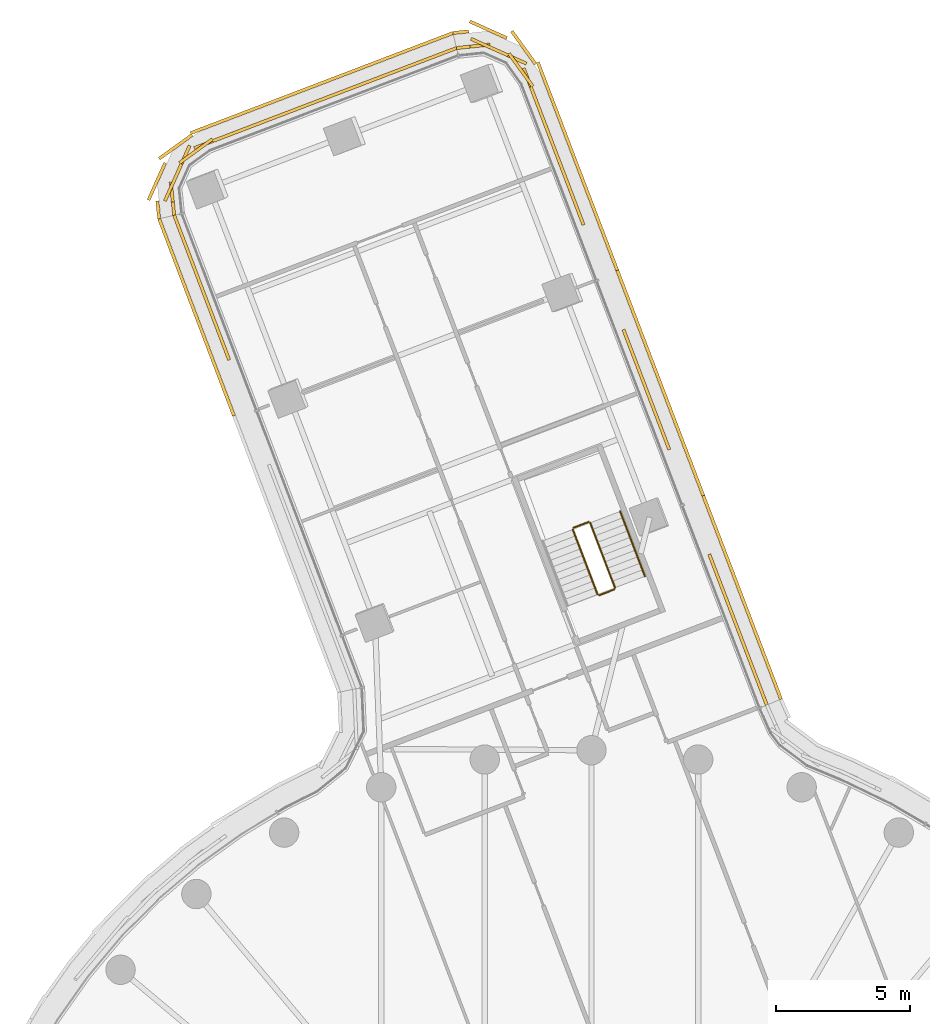
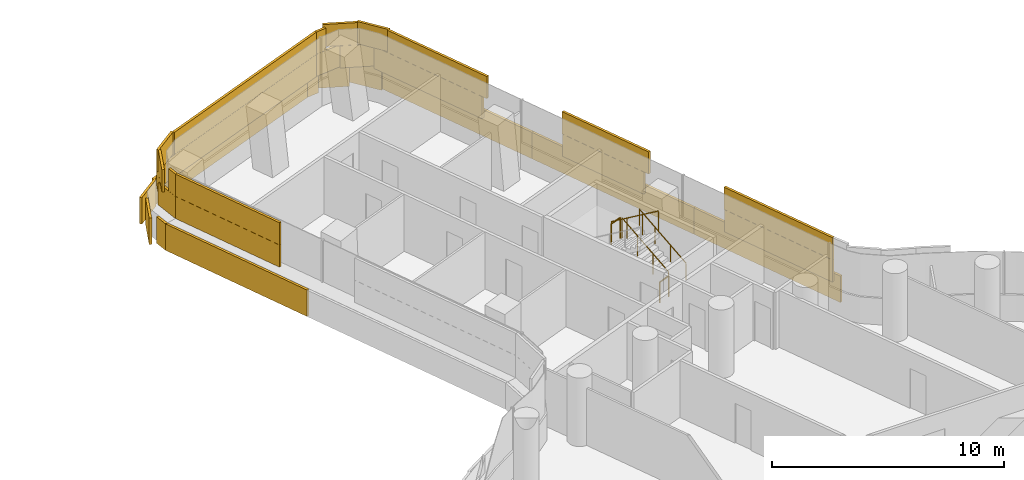
# One storey, part 32 of 32: 5 coverings, 5 railings.
"""IFC4 building model written with IfcOpenShell, lengths in metres."""

from ifc_helpers import new_model, si_unit, direction, frame, origin, origin_2d, place, context, subcontext, project, spatial, rectangle, circle, extrude, material, layer, layer_set, type_object, element, save


model = new_model("IFC4")

# Units and contexts
model_context = context("Model", 3, precision=1e-05, world=origin(), true_north=direction((0.0, 1.0)))
body_context = subcontext(model_context, "Body", "Model", "MODEL_VIEW")
ifc_project = project(units=[si_unit("LENGTHUNIT", "METRE"), si_unit("AREAUNIT", "SQUARE_METRE"), si_unit("VOLUMEUNIT", "CUBIC_METRE"), si_unit("PLANEANGLEUNIT", "RADIAN"), si_unit("MASSUNIT", "GRAM", prefix="KILO")], contexts=[model_context])

# Site, building, storey
site_placement = place(None, origin())
site = spatial("IfcSite", under=ifc_project, at=site_placement, CompositionType="ELEMENT")
building_placement = place(site_placement, origin())
building = spatial("IfcBuilding", under=site, at=building_placement, Name="Tamarind Cross Interchange Tower", CompositionType="ELEMENT")
storey_placement = place(building_placement, frame((0.0, 0.0, 109.75)))
storey = spatial("IfcBuildingStorey", under=building, at=storey_placement, Name="L26", CompositionType="ELEMENT", Elevation=109.75)

# Railings
ifc_material_1 = material(Name="Stair guard")
railing_type_1 = type_object("IfcRailingType", Name="Stair guard", PredefinedType="GUARDRAIL", material=ifc_material_1)
railing_1_placement = place(storey_placement, frame((0.882568359375, 29.08056640625, 0.17041015625)))
element("IfcRailing", 1, at=railing_1_placement, inside=storey, type_object=railing_type_1, Name="L26 ST4 stair guard 1", PredefinedType="GUARDRAIL", context=body_context, shape_type="SweptSolid", body=[
    extrude(circle(Radius=0.02392578125, at=origin_2d()), frame((0.0, 0.0, 1.076171875), z_axis=(-0.298255740947, 0.781291829036, 0.548294255737), x_axis=(-0.934240573214, -0.356643451308, 0.0)), (0.0, 0.0, 1.0), 3.10888671875),
    extrude(circle(Radius=0.02099609375, at=origin_2d()), origin(), (0.0, 0.0, 1.0), 1.052001953125),
    extrude(circle(Radius=0.02099609375, at=origin_2d()), frame((-0.30908203125, 0.8095703125, 0.568115234375)), (0.0, 0.0, 1.0), 1.052001953125),
    extrude(circle(Radius=0.02099609375, at=origin_2d()), frame((-0.6181640625, 1.619384765625, 1.136474609375)), (0.0, 0.0, 1.0), 1.052001953125),
    extrude(circle(Radius=0.02099609375, at=origin_2d()), frame((-0.92724609375, 2.428955078125, 1.70458984375)), (0.0, 0.0, 1.0), 1.052001953125),
])
railing_2_placement = place(storey_placement, frame((-0.109375, 31.538330078125, 1.875)))
element("IfcRailing", 2, at=railing_2_placement, inside=storey, type_object=railing_type_1, Name="L26 ST4 stair guard 2", PredefinedType="GUARDRAIL", context=body_context, shape_type="SweptSolid", body=[
    extrude(circle(Radius=0.02392578125, at=origin_2d()), frame((0.0, 0.0, 1.076171875), z_axis=(-0.934307115973, -0.356469091286, 0.0), x_axis=(0.356469091286, -0.934307115973, 0.0)), (0.0, 0.0, 1.0), 0.599853515625),
    extrude(circle(Radius=0.02099609375, at=origin_2d()), origin(), (0.0, 0.0, 1.0), 1.052001953125),
    extrude(circle(Radius=0.02099609375, at=origin_2d()), frame((-0.560546875, -0.2138671875, 0.0)), (0.0, 0.0, 1.0), 1.052001953125),
])
railing_3_placement = place(storey_placement, frame((-0.69873046875, 31.259765625, 2.04541015625)))
element("IfcRailing", 3, at=railing_3_placement, inside=storey, type_object=railing_type_1, Name="L26 ST4 stair guard 3", PredefinedType="GUARDRAIL", context=body_context, shape_type="SweptSolid", body=[
    extrude(circle(Radius=0.02392578125, at=origin_2d()), frame((0.0, 0.0, 1.076171875), z_axis=(0.298327282392, -0.781273527908, 0.548281412388), x_axis=(0.934209283065, 0.356725406208, 0.0)), (0.0, 0.0, 1.0), 3.10888671875),
    extrude(circle(Radius=0.02099609375, at=origin_2d()), origin(), (0.0, 0.0, 1.0), 1.052001953125),
    extrude(circle(Radius=0.02099609375, at=origin_2d()), frame((0.30908203125, -0.8095703125, 0.568115234375)), (0.0, 0.0, 1.0), 1.052001953125),
    extrude(circle(Radius=0.02099609375, at=origin_2d()), frame((0.618408203125, -1.619384765625, 1.136474609375)), (0.0, 0.0, 1.0), 1.052001953125),
    extrude(circle(Radius=0.02099609375, at=origin_2d()), frame((0.927490234375, -2.428955078125, 1.70458984375)), (0.0, 0.0, 1.0), 1.052001953125),
])
railing_4_placement = place(storey_placement, frame((0.853759765625, 29.015869140625, 0.0)))
element("IfcRailing", 4, at=railing_4_placement, inside=storey, type_object=railing_type_1, Name="L26 ST4 stair guard 4", PredefinedType="GUARDRAIL", context=body_context, shape_type="SweptSolid", body=[
    extrude(circle(Radius=0.02392578125, at=origin_2d()), frame((0.0, 0.0, 1.076171875), z_axis=(-0.934307115973, -0.356469091286, 0.0), x_axis=(0.356469091286, -0.934307115973, 0.0)), (0.0, 0.0, 1.0), 0.599853515625),
    extrude(circle(Radius=0.02099609375, at=origin_2d()), origin(), (0.0, 0.0, 1.0), 1.052001953125),
    extrude(circle(Radius=0.02099609375, at=origin_2d()), frame((-0.560546875, -0.2138671875, 0.0)), (0.0, 0.0, 1.0), 1.052001953125),
])
ifc_material_2 = material(Name="Stair handrail")
railing_type_2 = type_object("IfcRailingType", Name="Stair handrail", PredefinedType="HANDRAIL", material=ifc_material_2)
railing_5_placement = place(storey_placement, frame((2.003662109375, 29.508544921875, 0.17041015625)))
element("IfcRailing", 5, at=railing_5_placement, inside=storey, type_object=railing_type_2, Name="L26 ST4 stair handrail 1", PredefinedType="HANDRAIL", context=body_context, shape_type="SweptSolid", body=[
    extrude(circle(Radius=0.02392578125, at=origin_2d()), frame((0.0, 0.0, 0.8759765625), z_axis=(-0.298255740947, 0.781291829036, 0.548294255737), x_axis=(-0.934240573214, -0.356643451308, 0.0)), (0.0, 0.0, 1.0), 3.10888671875),
    extrude(circle(Radius=0.02099609375, at=origin_2d()), origin(), (0.0, 0.0, 1.0), 0.851806640625),
    extrude(circle(Radius=0.02099609375, at=origin_2d()), frame((-0.30908203125, 0.8095703125, 0.568115234375)), (0.0, 0.0, 1.0), 0.851806640625),
    extrude(circle(Radius=0.02099609375, at=origin_2d()), frame((-0.6181640625, 1.619384765625, 1.136474609375)), (0.0, 0.0, 1.0), 0.851806640625),
    extrude(circle(Radius=0.02099609375, at=origin_2d()), frame((-0.92724609375, 2.428955078125, 1.70458984375)), (0.0, 0.0, 1.0), 0.851806640625),
])

# Coverings
ifc_material_3 = material(Name="Terracotta", Category="masonry")
ifc_layer = layer(ifc_material_3, 0.1201171875)
ifc_layer_set = layer_set([ifc_layer], Name="Terracotta")
covering_type = type_object("IfcCoveringType", Name="Terracotta baguette screen unit", PredefinedType="MOLDING", material=ifc_layer_set)
covering_1_placement = place(storey_placement, origin())
element("IfcCovering", 6, at=covering_1_placement, inside=storey, type_object=covering_type, Name="SCR-L26-11-00", PredefinedType="MOLDING", context=body_context, shape_type="SweptSolid", body=[
    extrude(rectangle(XDim=1.510009765625, YDim=0.1201171875, at=origin_2d()), frame((6.294189453125, 25.39208984375, 1.404052734375), z_axis=(0.0, 0.0, 1.0), x_axis=(-0.356672778674, 0.934229377055, 0.0)), (0.0, 0.0, 1.0), 1.1669921875),
    extrude(rectangle(XDim=1.52001953125, YDim=0.1201171875, at=origin_2d()), frame((5.759033203125, 26.79345703125, 1.404052734375), z_axis=(0.0, 0.0, 1.0), x_axis=(-0.356672778674, 0.934229377055, 0.0)), (0.0, 0.0, 1.0), 1.1669921875),
    extrude(rectangle(XDim=1.52001953125, YDim=0.1201171875, at=origin_2d()), frame((5.22412109375, 28.19482421875, 1.404052734375), z_axis=(0.0, 0.0, 1.0), x_axis=(-0.356672778674, 0.934229377055, 0.0)), (0.0, 0.0, 1.0), 1.1669921875),
    extrude(rectangle(XDim=1.52001953125, YDim=0.1201171875, at=origin_2d()), frame((4.68896484375, 29.59619140625, 1.404052734375), z_axis=(0.0, 0.0, 1.0), x_axis=(-0.356672778674, 0.934229377055, 0.0)), (0.0, 0.0, 1.0), 1.1669921875),
    extrude(rectangle(XDim=0.760009765625, YDim=0.1201171875, at=origin_2d()), frame((6.427734375, 25.041748046875, 2.5791015625), z_axis=(0.0, 0.0, 1.0), x_axis=(-0.356672778674, 0.934229377055, 0.0)), (0.0, 0.0, 1.0), 1.1669921875),
    extrude(rectangle(XDim=1.52001953125, YDim=0.1201171875, at=origin_2d()), frame((6.026611328125, 26.0927734375, 2.5791015625), z_axis=(0.0, 0.0, 1.0), x_axis=(-0.356672778674, 0.934229377055, 0.0)), (0.0, 0.0, 1.0), 1.1669921875),
    extrude(rectangle(XDim=1.52001953125, YDim=0.1201171875, at=origin_2d()), frame((5.49169921875, 27.494140625, 2.5791015625), z_axis=(0.0, 0.0, 1.0), x_axis=(-0.356672778674, 0.934229377055, 0.0)), (0.0, 0.0, 1.0), 1.1669921875),
    extrude(rectangle(XDim=1.52001953125, YDim=0.1201171875, at=origin_2d()), frame((4.95654296875, 28.8955078125, 2.5791015625), z_axis=(0.0, 0.0, 1.0), x_axis=(-0.356672778674, 0.934229377055, 0.0)), (0.0, 0.0, 1.0), 1.1669921875),
    extrude(rectangle(XDim=0.791259765625, YDim=0.1201171875, at=origin_2d()), frame((4.5498046875, 29.961181640625, 2.5791015625), z_axis=(0.0, 0.0, 1.0), x_axis=(-0.356672778674, 0.934229377055, 0.0)), (0.0, 0.0, 1.0), 1.1669921875),
    extrude(rectangle(XDim=1.510009765625, YDim=0.1201171875, at=origin_2d()), frame((6.823486328125, 25.614990234375, 0.00390625), z_axis=(0.0, 0.0, 1.0), x_axis=(-0.356672778674, 0.934229377055, 0.0)), (0.0, 0.0, 1.0), 1.39208984375),
    extrude(rectangle(XDim=1.52001953125, YDim=0.1201171875, at=origin_2d()), frame((6.2900390625, 27.01171875, 0.00390625), z_axis=(0.0, 0.0, 1.0), x_axis=(-0.356672778674, 0.934229377055, 0.0)), (0.0, 0.0, 1.0), 1.39208984375),
    extrude(rectangle(XDim=1.52001953125, YDim=0.1201171875, at=origin_2d()), frame((5.755126953125, 28.4130859375, 0.00390625), z_axis=(0.0, 0.0, 1.0), x_axis=(-0.356672778674, 0.934229377055, 0.0)), (0.0, 0.0, 1.0), 1.39208984375),
    extrude(rectangle(XDim=1.52001953125, YDim=0.1201171875, at=origin_2d()), frame((5.22021484375, 29.814453125, 0.00390625), z_axis=(0.0, 0.0, 1.0), x_axis=(-0.356672778674, 0.934229377055, 0.0)), (0.0, 0.0, 1.0), 1.39208984375),
    extrude(rectangle(XDim=1.52001953125, YDim=0.1201171875, at=origin_2d()), frame((4.68505859375, 31.2158203125, 0.00390625), z_axis=(0.0, 0.0, 1.0), x_axis=(-0.356672778674, 0.934229377055, 0.0)), (0.0, 0.0, 1.0), 1.39208984375),
    extrude(rectangle(XDim=0.6611328125, YDim=0.1201171875, at=origin_2d()), frame((4.30322265625, 32.2158203125, 0.00390625), z_axis=(0.0, 0.0, 1.0), x_axis=(-0.356672778674, 0.934229377055, 0.0)), (0.0, 0.0, 1.0), 1.39208984375),
])
covering_2_placement = place(storey_placement, origin())
element("IfcCovering", 7, at=covering_2_placement, inside=storey, type_object=covering_type, Name="SCR-L26-11-01", PredefinedType="MOLDING", context=body_context, shape_type="SweptSolid", body=[
    extrude(rectangle(XDim=1.52001953125, YDim=0.1201171875, at=origin_2d()), frame((2.549072265625, 35.201416015625, 1.404052734375), z_axis=(0.0, 0.0, 1.0), x_axis=(-0.356672778674, 0.934229377055, 0.0)), (0.0, 0.0, 1.0), 1.1669921875),
    extrude(rectangle(XDim=1.52001953125, YDim=0.1201171875, at=origin_2d()), frame((2.013916015625, 36.602783203125, 1.404052734375), z_axis=(0.0, 0.0, 1.0), x_axis=(-0.356672778674, 0.934229377055, 0.0)), (0.0, 0.0, 1.0), 1.1669921875),
    extrude(rectangle(XDim=1.52001953125, YDim=0.1201171875, at=origin_2d()), frame((1.47900390625, 38.004150390625, 1.404052734375), z_axis=(0.0, 0.0, 1.0), x_axis=(-0.356672778674, 0.934229377055, 0.0)), (0.0, 0.0, 1.0), 1.1669921875),
    extrude(rectangle(XDim=1.02880859375, YDim=0.1201171875, at=origin_2d()), frame((2.730712890625, 34.7255859375, 2.5791015625), z_axis=(0.0, 0.0, 1.0), x_axis=(-0.356672778674, 0.934229377055, 0.0)), (0.0, 0.0, 1.0), 1.1669921875),
    extrude(rectangle(XDim=1.52001953125, YDim=0.1201171875, at=origin_2d()), frame((2.281494140625, 35.902099609375, 2.5791015625), z_axis=(0.0, 0.0, 1.0), x_axis=(-0.356672778674, 0.934229377055, 0.0)), (0.0, 0.0, 1.0), 1.1669921875),
    extrude(rectangle(XDim=1.52001953125, YDim=0.1201171875, at=origin_2d()), frame((1.74658203125, 37.303466796875, 2.5791015625), z_axis=(0.0, 0.0, 1.0), x_axis=(-0.356672778674, 0.934229377055, 0.0)), (0.0, 0.0, 1.0), 1.1669921875),
    extrude(rectangle(XDim=0.794677734375, YDim=0.1201171875, at=origin_2d()), frame((1.339111328125, 38.370849609375, 2.5791015625), z_axis=(0.0, 0.0, 1.0), x_axis=(-0.356672778674, 0.934229377055, 0.0)), (0.0, 0.0, 1.0), 1.1669921875),
    extrude(rectangle(XDim=0.85888671875, YDim=0.1201171875, at=origin_2d()), frame((4.0322265625, 32.926025390625, 0.00390625), z_axis=(0.0, 0.0, 1.0), x_axis=(-0.356672778674, 0.934229377055, 0.0)), (0.0, 0.0, 1.0), 1.39208984375),
    extrude(rectangle(XDim=1.52001953125, YDim=0.1201171875, at=origin_2d()), frame((3.614990234375, 34.0185546875, 0.00390625), z_axis=(0.0, 0.0, 1.0), x_axis=(-0.356672778674, 0.934229377055, 0.0)), (0.0, 0.0, 1.0), 1.39208984375),
    extrude(rectangle(XDim=1.52001953125, YDim=0.1201171875, at=origin_2d()), frame((3.080078125, 35.419921875, 0.00390625), z_axis=(0.0, 0.0, 1.0), x_axis=(-0.356672778674, 0.934229377055, 0.0)), (0.0, 0.0, 1.0), 1.39208984375),
    extrude(rectangle(XDim=1.52001953125, YDim=0.1201171875, at=origin_2d()), frame((2.545166015625, 36.821044921875, 0.00390625), z_axis=(0.0, 0.0, 1.0), x_axis=(-0.356672778674, 0.934229377055, 0.0)), (0.0, 0.0, 1.0), 1.39208984375),
    extrude(rectangle(XDim=1.52001953125, YDim=0.1201171875, at=origin_2d()), frame((2.010009765625, 38.222412109375, 0.00390625), z_axis=(0.0, 0.0, 1.0), x_axis=(-0.356672778674, 0.934229377055, 0.0)), (0.0, 0.0, 1.0), 1.39208984375),
    extrude(rectangle(XDim=1.52001953125, YDim=0.1201171875, at=origin_2d()), frame((1.47509765625, 39.623779296875, 0.00390625), z_axis=(0.0, 0.0, 1.0), x_axis=(-0.356672778674, 0.934229377055, 0.0)), (0.0, 0.0, 1.0), 1.39208984375),
    extrude(rectangle(XDim=0.6865234375, YDim=0.1201171875, at=origin_2d()), frame((1.088623046875, 40.635986328125, 0.00390625), z_axis=(0.0, 0.0, 1.0), x_axis=(-0.356672778674, 0.934229377055, 0.0)), (0.0, 0.0, 1.0), 1.39208984375),
])
covering_3_placement = place(storey_placement, origin())
element("IfcCovering", 8, at=covering_3_placement, inside=storey, type_object=covering_type, Name="SCR-L26-11-02", PredefinedType="MOLDING", context=body_context, shape_type="SweptSolid", body=[
    extrude(rectangle(XDim=1.52001953125, YDim=0.1201171875, at=origin_2d()), frame((-0.6611328125, 43.609619140625, 1.404052734375), z_axis=(0.0, 0.0, 1.0), x_axis=(-0.356672778674, 0.934229377055, 0.0)), (0.0, 0.0, 1.0), 1.1669921875),
    extrude(rectangle(XDim=1.52001953125, YDim=0.1201171875, at=origin_2d()), frame((-1.196044921875, 45.010986328125, 1.404052734375), z_axis=(0.0, 0.0, 1.0), x_axis=(-0.356672778674, 0.934229377055, 0.0)), (0.0, 0.0, 1.0), 1.1669921875),
    extrude(rectangle(XDim=1.52001953125, YDim=0.1201171875, at=origin_2d()), frame((-1.73095703125, 46.412353515625, 1.404052734375), z_axis=(0.0, 0.0, 1.0), x_axis=(-0.356672778674, 0.934229377055, 0.0)), (0.0, 0.0, 1.0), 1.1669921875),
    extrude(rectangle(XDim=1.52001953125, YDim=0.1201171875, at=origin_2d()), frame((-2.26611328125, 47.813720703125, 1.404052734375), z_axis=(0.0, 0.0, 1.0), x_axis=(-0.356672778674, 0.934229377055, 0.0)), (0.0, 0.0, 1.0), 1.1669921875),
    extrude(rectangle(XDim=1.52001953125, YDim=0.1201171875, at=origin_2d()), frame((-3.130126953125, 49.00341796875, 1.404052734375), z_axis=(0.0, 0.0, 1.0), x_axis=(-0.912805668165, 0.408394187234, 0.0)), (0.0, 0.0, 1.0), 1.1669921875),
    extrude(rectangle(XDim=1.265625, YDim=0.1201171875, at=origin_2d()), frame((-4.424072265625, 49.339599609375, 1.404052734375), z_axis=(0.0, 0.0, 1.0), x_axis=(-0.994709990966, -0.10272309318, 0.0)), (0.0, 0.0, 1.0), 1.1669921875),
    extrude(rectangle(XDim=1.025146484375, YDim=0.1201171875, at=origin_2d()), frame((-0.47998046875, 43.13525390625, 2.5791015625), z_axis=(0.0, 0.0, 1.0), x_axis=(-0.356672778674, 0.934229377055, 0.0)), (0.0, 0.0, 1.0), 1.1669921875),
    extrude(rectangle(XDim=1.52001953125, YDim=0.1201171875, at=origin_2d()), frame((-0.928466796875, 44.310302734375, 2.5791015625), z_axis=(0.0, 0.0, 1.0), x_axis=(-0.356672778674, 0.934229377055, 0.0)), (0.0, 0.0, 1.0), 1.1669921875),
    extrude(rectangle(XDim=1.52001953125, YDim=0.1201171875, at=origin_2d()), frame((-1.463623046875, 45.711669921875, 2.5791015625), z_axis=(0.0, 0.0, 1.0), x_axis=(-0.356672778674, 0.934229377055, 0.0)), (0.0, 0.0, 1.0), 1.1669921875),
    extrude(rectangle(XDim=1.52001953125, YDim=0.1201171875, at=origin_2d()), frame((-1.99853515625, 47.113037109375, 2.5791015625), z_axis=(0.0, 0.0, 1.0), x_axis=(-0.356672778674, 0.934229377055, 0.0)), (0.0, 0.0, 1.0), 1.1669921875),
    extrude(rectangle(XDim=1.52001953125, YDim=0.1201171875, at=origin_2d()), frame((-2.6416015625, 48.455810546875, 2.5791015625), z_axis=(0.0, 0.0, 1.0), x_axis=(-0.586315803732, 0.810082574985, 0.0)), (0.0, 0.0, 1.0), 1.1669921875),
    extrude(rectangle(XDim=1.52001953125, YDim=0.1201171875, at=origin_2d()), frame((-3.814697265625, 49.309814453125, 2.5791015625), z_axis=(0.0, 0.0, 1.0), x_axis=(-0.912805668165, 0.408394187234, 0.0)), (0.0, 0.0, 1.0), 1.1669921875),
    extrude(rectangle(XDim=0.515625, YDim=0.1201171875, at=origin_2d()), frame((-4.797119140625, 49.301025390625, 2.5791015625), z_axis=(0.0, 0.0, 1.0), x_axis=(-0.994709990966, -0.10272309318, 0.0)), (0.0, 0.0, 1.0), 1.1669921875),
    extrude(rectangle(XDim=0.83349609375, YDim=0.1201171875, at=origin_2d()), frame((0.817626953125, 41.345947265625, 0.00390625), z_axis=(0.0, 0.0, 1.0), x_axis=(-0.356672778674, 0.934229377055, 0.0)), (0.0, 0.0, 1.0), 1.39208984375),
    extrude(rectangle(XDim=1.52001953125, YDim=0.1201171875, at=origin_2d()), frame((0.405029296875, 42.426513671875, 0.00390625), z_axis=(0.0, 0.0, 1.0), x_axis=(-0.356672778674, 0.934229377055, 0.0)), (0.0, 0.0, 1.0), 1.39208984375),
    extrude(rectangle(XDim=1.52001953125, YDim=0.1201171875, at=origin_2d()), frame((-0.1298828125, 43.827880859375, 0.00390625), z_axis=(0.0, 0.0, 1.0), x_axis=(-0.356672778674, 0.934229377055, 0.0)), (0.0, 0.0, 1.0), 1.39208984375),
    extrude(rectangle(XDim=1.52001953125, YDim=0.1201171875, at=origin_2d()), frame((-0.6650390625, 45.229248046875, 0.00390625), z_axis=(0.0, 0.0, 1.0), x_axis=(-0.356672778674, 0.934229377055, 0.0)), (0.0, 0.0, 1.0), 1.39208984375),
    extrude(rectangle(XDim=1.52001953125, YDim=0.1201171875, at=origin_2d()), frame((-1.199951171875, 46.630615234375, 0.00390625), z_axis=(0.0, 0.0, 1.0), x_axis=(-0.356672778674, 0.934229377055, 0.0)), (0.0, 0.0, 1.0), 1.39208984375),
    extrude(rectangle(XDim=1.52001953125, YDim=0.1201171875, at=origin_2d()), frame((-1.73486328125, 48.031982421875, 0.00390625), z_axis=(0.0, 0.0, 1.0), x_axis=(-0.356672778674, 0.934229377055, 0.0)), (0.0, 0.0, 1.0), 1.39208984375),
    extrude(rectangle(XDim=1.52001953125, YDim=0.1201171875, at=origin_2d()), frame((-2.5361328125, 49.289306640625, 0.00390625), z_axis=(0.0, 0.0, 1.0), x_axis=(-0.586315803732, 0.810082574985, 0.0)), (0.0, 0.0, 1.0), 1.39208984375),
    extrude(rectangle(XDim=1.52001953125, YDim=0.1201171875, at=origin_2d()), frame((-3.859375, 49.958740234375, 0.00390625), z_axis=(0.0, 0.0, 1.0), x_axis=(-0.912805668165, 0.408394187234, 0.0)), (0.0, 0.0, 1.0), 1.39208984375),
    extrude(rectangle(XDim=0.593017578125, YDim=0.1201171875, at=origin_2d()), frame((-4.8876953125, 49.86865234375, 0.00390625), z_axis=(0.0, 0.0, 1.0), x_axis=(-0.994709990966, -0.10272309318, 0.0)), (0.0, 0.0, 1.0), 1.39208984375),
])
covering_4_placement = place(storey_placement, origin())
element("IfcCovering", 9, at=covering_4_placement, inside=storey, type_object=covering_type, Name="SCR-L26-12-00", PredefinedType="MOLDING", context=body_context, shape_type="SweptSolid", body=[
    extrude(rectangle(XDim=1.510009765625, YDim=0.1201171875, at=origin_2d()), frame((-5.7490234375, 49.007568359375, 1.404052734375), z_axis=(0.0, 0.0, 1.0), x_axis=(-0.934229377055, -0.356672778674, 0.0)), (0.0, 0.0, 1.0), 1.1669921875),
    extrude(rectangle(XDim=1.52001953125, YDim=0.1201171875, at=origin_2d()), frame((-7.150390625, 48.47265625, 1.404052734375), z_axis=(0.0, 0.0, 1.0), x_axis=(-0.934229377055, -0.356672778674, 0.0)), (0.0, 0.0, 1.0), 1.1669921875),
    extrude(rectangle(XDim=1.52001953125, YDim=0.1201171875, at=origin_2d()), frame((-8.5517578125, 47.9375, 1.404052734375), z_axis=(0.0, 0.0, 1.0), x_axis=(-0.934229377055, -0.356672778674, 0.0)), (0.0, 0.0, 1.0), 1.1669921875),
    extrude(rectangle(XDim=1.52001953125, YDim=0.1201171875, at=origin_2d()), frame((-9.953125, 47.402587890625, 1.404052734375), z_axis=(0.0, 0.0, 1.0), x_axis=(-0.934229377055, -0.356672778674, 0.0)), (0.0, 0.0, 1.0), 1.1669921875),
    extrude(rectangle(XDim=1.52001953125, YDim=0.1201171875, at=origin_2d()), frame((-11.3544921875, 46.867431640625, 1.404052734375), z_axis=(0.0, 0.0, 1.0), x_axis=(-0.934229377055, -0.356672778674, 0.0)), (0.0, 0.0, 1.0), 1.1669921875),
    extrude(rectangle(XDim=1.52001953125, YDim=0.1201171875, at=origin_2d()), frame((-12.755859375, 46.33251953125, 1.404052734375), z_axis=(0.0, 0.0, 1.0), x_axis=(-0.934229377055, -0.356672778674, 0.0)), (0.0, 0.0, 1.0), 1.1669921875),
    extrude(rectangle(XDim=1.52001953125, YDim=0.1201171875, at=origin_2d()), frame((-14.1572265625, 45.797607421875, 1.404052734375), z_axis=(0.0, 0.0, 1.0), x_axis=(-0.934229377055, -0.356672778674, 0.0)), (0.0, 0.0, 1.0), 1.1669921875),
    extrude(rectangle(XDim=1.52001953125, YDim=0.1201171875, at=origin_2d()), frame((-15.343994140625, 44.93017578125, 1.404052734375), z_axis=(0.0, 0.0, 1.0), x_axis=(-0.408394187234, -0.912805668165, 0.0)), (0.0, 0.0, 1.0), 1.1669921875),
    extrude(rectangle(XDim=1.259521484375, YDim=0.1201171875, at=origin_2d()), frame((-15.67724609375, 43.638671875, 1.404052734375), z_axis=(0.0, 0.0, 1.0), x_axis=(0.10272309318, -0.994709990966, 0.0)), (0.0, 0.0, 1.0), 1.1669921875),
    extrude(rectangle(XDim=0.760009765625, YDim=0.1201171875, at=origin_2d()), frame((-5.398681640625, 49.141357421875, 2.5791015625), z_axis=(0.0, 0.0, 1.0), x_axis=(-0.934229377055, -0.356672778674, 0.0)), (0.0, 0.0, 1.0), 1.1669921875),
    extrude(rectangle(XDim=1.52001953125, YDim=0.1201171875, at=origin_2d()), frame((-6.44970703125, 48.739990234375, 2.5791015625), z_axis=(0.0, 0.0, 1.0), x_axis=(-0.934229377055, -0.356672778674, 0.0)), (0.0, 0.0, 1.0), 1.1669921875),
    extrude(rectangle(XDim=1.52001953125, YDim=0.1201171875, at=origin_2d()), frame((-7.85107421875, 48.205078125, 2.5791015625), z_axis=(0.0, 0.0, 1.0), x_axis=(-0.934229377055, -0.356672778674, 0.0)), (0.0, 0.0, 1.0), 1.1669921875),
    extrude(rectangle(XDim=1.52001953125, YDim=0.1201171875, at=origin_2d()), frame((-9.25244140625, 47.669921875, 2.5791015625), z_axis=(0.0, 0.0, 1.0), x_axis=(-0.934229377055, -0.356672778674, 0.0)), (0.0, 0.0, 1.0), 1.1669921875),
    extrude(rectangle(XDim=1.52001953125, YDim=0.1201171875, at=origin_2d()), frame((-10.65380859375, 47.135009765625, 2.5791015625), z_axis=(0.0, 0.0, 1.0), x_axis=(-0.934229377055, -0.356672778674, 0.0)), (0.0, 0.0, 1.0), 1.1669921875),
    extrude(rectangle(XDim=1.52001953125, YDim=0.1201171875, at=origin_2d()), frame((-12.05517578125, 46.60009765625, 2.5791015625), z_axis=(0.0, 0.0, 1.0), x_axis=(-0.934229377055, -0.356672778674, 0.0)), (0.0, 0.0, 1.0), 1.1669921875),
    extrude(rectangle(XDim=1.52001953125, YDim=0.1201171875, at=origin_2d()), frame((-13.45654296875, 46.06494140625, 2.5791015625), z_axis=(0.0, 0.0, 1.0), x_axis=(-0.934229377055, -0.356672778674, 0.0)), (0.0, 0.0, 1.0), 1.1669921875),
    extrude(rectangle(XDim=1.52001953125, YDim=0.1201171875, at=origin_2d()), frame((-14.798828125, 45.420654296875, 2.5791015625), z_axis=(0.0, 0.0, 1.0), x_axis=(-0.810082574985, -0.586315803732, 0.0)), (0.0, 0.0, 1.0), 1.1669921875),
    extrude(rectangle(XDim=1.52001953125, YDim=0.1201171875, at=origin_2d()), frame((-15.650390625, 44.24560546875, 2.5791015625), z_axis=(0.0, 0.0, 1.0), x_axis=(-0.408394187234, -0.912805668165, 0.0)), (0.0, 0.0, 1.0), 1.1669921875),
    extrude(rectangle(XDim=0.509521484375, YDim=0.1201171875, at=origin_2d()), frame((-15.638916015625, 43.265869140625, 2.5791015625), z_axis=(0.0, 0.0, 1.0), x_axis=(0.10272309318, -0.994709990966, 0.0)), (0.0, 0.0, 1.0), 1.1669921875),
    extrude(rectangle(XDim=1.510009765625, YDim=0.1201171875, at=origin_2d()), frame((-5.887939453125, 49.569091796875, 0.00390625), z_axis=(0.0, 0.0, 1.0), x_axis=(-0.934229377055, -0.356672778674, 0.0)), (0.0, 0.0, 1.0), 1.39208984375),
    extrude(rectangle(XDim=1.52001953125, YDim=0.1201171875, at=origin_2d()), frame((-7.28466796875, 49.03564453125, 0.00390625), z_axis=(0.0, 0.0, 1.0), x_axis=(-0.934229377055, -0.356672778674, 0.0)), (0.0, 0.0, 1.0), 1.39208984375),
    extrude(rectangle(XDim=1.52001953125, YDim=0.1201171875, at=origin_2d()), frame((-8.68603515625, 48.500732421875, 0.00390625), z_axis=(0.0, 0.0, 1.0), x_axis=(-0.934229377055, -0.356672778674, 0.0)), (0.0, 0.0, 1.0), 1.39208984375),
    extrude(rectangle(XDim=1.52001953125, YDim=0.1201171875, at=origin_2d()), frame((-10.08740234375, 47.9658203125, 0.00390625), z_axis=(0.0, 0.0, 1.0), x_axis=(-0.934229377055, -0.356672778674, 0.0)), (0.0, 0.0, 1.0), 1.39208984375),
    extrude(rectangle(XDim=1.52001953125, YDim=0.1201171875, at=origin_2d()), frame((-11.488525390625, 47.4306640625, 0.00390625), z_axis=(0.0, 0.0, 1.0), x_axis=(-0.934229377055, -0.356672778674, 0.0)), (0.0, 0.0, 1.0), 1.39208984375),
    extrude(rectangle(XDim=1.52001953125, YDim=0.1201171875, at=origin_2d()), frame((-12.889892578125, 46.895751953125, 0.00390625), z_axis=(0.0, 0.0, 1.0), x_axis=(-0.934229377055, -0.356672778674, 0.0)), (0.0, 0.0, 1.0), 1.39208984375),
    extrude(rectangle(XDim=1.52001953125, YDim=0.1201171875, at=origin_2d()), frame((-14.291259765625, 46.360595703125, 0.00390625), z_axis=(0.0, 0.0, 1.0), x_axis=(-0.934229377055, -0.356672778674, 0.0)), (0.0, 0.0, 1.0), 1.39208984375),
    extrude(rectangle(XDim=1.52001953125, YDim=0.1201171875, at=origin_2d()), frame((-15.55908203125, 45.578857421875, 0.00390625), z_axis=(0.0, 0.0, 1.0), x_axis=(-0.810082574985, -0.586315803732, 0.0)), (0.0, 0.0, 1.0), 1.39208984375),
    extrude(rectangle(XDim=1.52001953125, YDim=0.1201171875, at=origin_2d()), frame((-16.262451171875, 44.283203125, 0.00390625), z_axis=(0.0, 0.0, 1.0), x_axis=(-0.408394187234, -0.912805668165, 0.0)), (0.0, 0.0, 1.0), 1.39208984375),
    extrude(rectangle(XDim=0.676513671875, YDim=0.1201171875, at=origin_2d()), frame((-16.211181640625, 43.22021484375, 0.00390625), z_axis=(0.0, 0.0, 1.0), x_axis=(0.10272309318, -0.994709990966, 0.0)), (0.0, 0.0, 1.0), 1.39208984375),
])
covering_5_placement = place(storey_placement, origin())
element("IfcCovering", 10, at=covering_5_placement, inside=storey, type_object=covering_type, Name="SCR-L26-13-00", PredefinedType="MOLDING", context=body_context, shape_type="SweptSolid", body=[
    extrude(rectangle(XDim=1.510009765625, YDim=0.1201171875, at=origin_2d()), frame((-15.3466796875, 42.316162109375, 1.404052734375), z_axis=(0.0, 0.0, 1.0), x_axis=(0.355185773082, -0.934795735228, 0.0)), (0.0, 0.0, 1.0), 1.1669921875),
    extrude(rectangle(XDim=1.52001953125, YDim=0.1201171875, at=origin_2d()), frame((-14.81396484375, 40.9140625, 1.404052734375), z_axis=(0.0, 0.0, 1.0), x_axis=(0.355185773082, -0.934795735228, 0.0)), (0.0, 0.0, 1.0), 1.1669921875),
    extrude(rectangle(XDim=1.52001953125, YDim=0.1201171875, at=origin_2d()), frame((-14.28125, 39.51171875, 1.404052734375), z_axis=(0.0, 0.0, 1.0), x_axis=(0.355185773082, -0.934795735228, 0.0)), (0.0, 0.0, 1.0), 1.1669921875),
    extrude(rectangle(XDim=1.300537109375, YDim=0.1201171875, at=origin_2d()), frame((-13.78564453125, 38.20751953125, 1.404052734375), z_axis=(0.0, 0.0, 1.0), x_axis=(0.355185773082, -0.934795735228, 0.0)), (0.0, 0.0, 1.0), 1.1669921875),
    extrude(rectangle(XDim=0.760009765625, YDim=0.1201171875, at=origin_2d()), frame((-15.47998046875, 42.666748046875, 2.5791015625), z_axis=(0.0, 0.0, 1.0), x_axis=(0.355185773082, -0.934795735228, 0.0)), (0.0, 0.0, 1.0), 1.1669921875),
    extrude(rectangle(XDim=1.52001953125, YDim=0.1201171875, at=origin_2d()), frame((-15.080322265625, 41.614990234375, 2.5791015625), z_axis=(0.0, 0.0, 1.0), x_axis=(0.355185773082, -0.934795735228, 0.0)), (0.0, 0.0, 1.0), 1.1669921875),
    extrude(rectangle(XDim=1.52001953125, YDim=0.1201171875, at=origin_2d()), frame((-14.547607421875, 40.212890625, 2.5791015625), z_axis=(0.0, 0.0, 1.0), x_axis=(0.355185773082, -0.934795735228, 0.0)), (0.0, 0.0, 1.0), 1.1669921875),
    extrude(rectangle(XDim=1.52001953125, YDim=0.1201171875, at=origin_2d()), frame((-14.014892578125, 38.810791015625, 2.5791015625), z_axis=(0.0, 0.0, 1.0), x_axis=(0.355185773082, -0.934795735228, 0.0)), (0.0, 0.0, 1.0), 1.1669921875),
    extrude(rectangle(XDim=0.550537109375, YDim=0.1201171875, at=origin_2d()), frame((-13.65234375, 37.85693359375, 2.5791015625), z_axis=(0.0, 0.0, 1.0), x_axis=(0.355185773082, -0.934795735228, 0.0)), (0.0, 0.0, 1.0), 1.1669921875),
    extrude(rectangle(XDim=1.510009765625, YDim=0.1201171875, at=origin_2d()), frame((-15.908203125, 42.177734375, 0.00390625), z_axis=(0.0, 0.0, 1.0), x_axis=(0.355185773082, -0.934795735228, 0.0)), (0.0, 0.0, 1.0), 1.39208984375),
    extrude(rectangle(XDim=1.52001953125, YDim=0.1201171875, at=origin_2d()), frame((-15.377197265625, 40.7802734375, 0.00390625), z_axis=(0.0, 0.0, 1.0), x_axis=(0.355185773082, -0.934795735228, 0.0)), (0.0, 0.0, 1.0), 1.39208984375),
    extrude(rectangle(XDim=1.52001953125, YDim=0.1201171875, at=origin_2d()), frame((-14.844482421875, 39.378173828125, 0.00390625), z_axis=(0.0, 0.0, 1.0), x_axis=(0.355185773082, -0.934795735228, 0.0)), (0.0, 0.0, 1.0), 1.39208984375),
    extrude(rectangle(XDim=1.52001953125, YDim=0.1201171875, at=origin_2d()), frame((-14.311767578125, 37.975830078125, 0.00390625), z_axis=(0.0, 0.0, 1.0), x_axis=(0.355185773082, -0.934795735228, 0.0)), (0.0, 0.0, 1.0), 1.39208984375),
    extrude(rectangle(XDim=1.52001953125, YDim=0.1201171875, at=origin_2d()), frame((-13.77880859375, 36.57373046875, 0.00390625), z_axis=(0.0, 0.0, 1.0), x_axis=(0.355185773082, -0.934795735228, 0.0)), (0.0, 0.0, 1.0), 1.39208984375),
    extrude(rectangle(XDim=0.393310546875, YDim=0.1201171875, at=origin_2d()), frame((-13.4462890625, 35.6982421875, 0.00390625), z_axis=(0.0, 0.0, 1.0), x_axis=(0.355185773082, -0.934795735228, 0.0)), (0.0, 0.0, 1.0), 1.39208984375),
])

save(model, "model.ifc")
